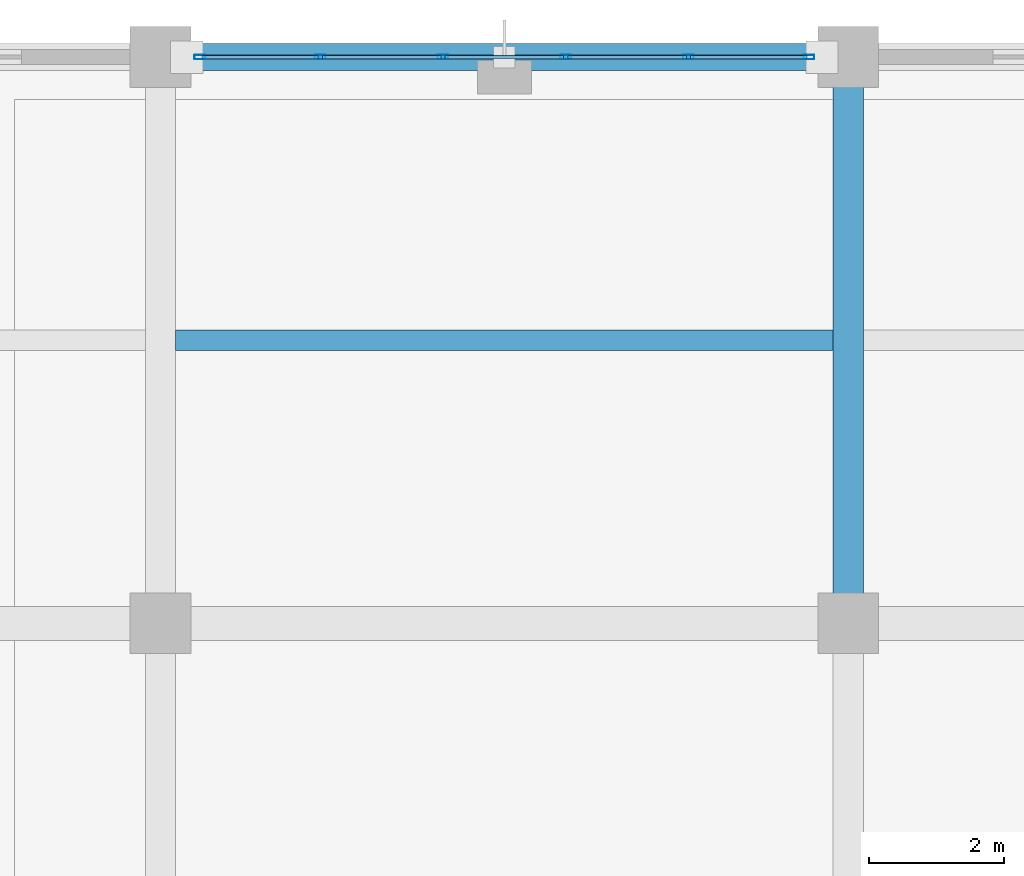
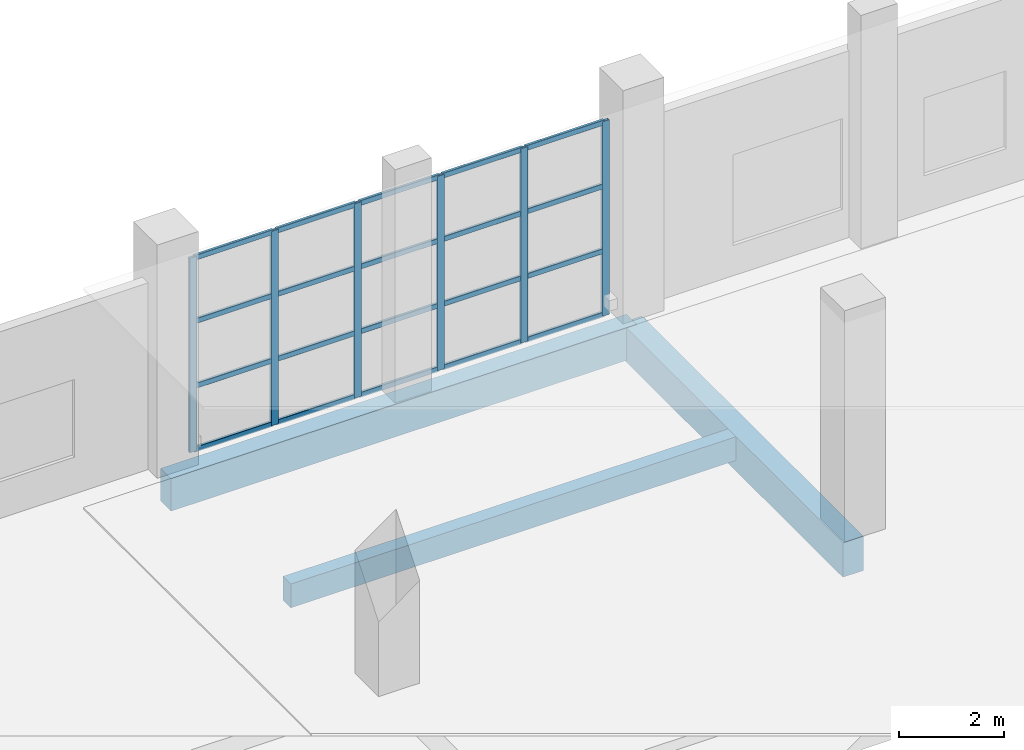
# One storey, part 91 of 175: 26 members, 3 beams, 1 element without a shape of its own.
"""IFC4 building model written with IfcOpenShell, lengths in metres."""

from ifc_helpers import new_model, si_unit, direction, frame, origin, origin_2d, place, context, subcontext, project, spatial, rectangle, hollow_rectangle, extrude, material, material_profile, profile_set, type_object, element, aggregate, save


model = new_model("IFC4")

# Units and contexts
model_context = context("Model", 3, precision=1e-05, world=origin(), true_north=direction((0.0, 1.0)))
body_context = subcontext(model_context, "Body", "Model", "MODEL_VIEW")
ifc_project = project(units=[si_unit("LENGTHUNIT", "METRE"), si_unit("AREAUNIT", "SQUARE_METRE"), si_unit("VOLUMEUNIT", "CUBIC_METRE"), si_unit("PLANEANGLEUNIT", "RADIAN"), si_unit("MASSUNIT", "GRAM", prefix="KILO")], contexts=[model_context])

# Site, building, storey
site_placement = place(None, origin())
site = spatial("IfcSite", under=ifc_project, at=site_placement, CompositionType="ELEMENT")
building_placement = place(site_placement, origin())
building = spatial("IfcBuilding", under=site, at=building_placement, Name="Brelvane Convention Centre", CompositionType="ELEMENT")
storey_placement = place(building_placement, frame((0.0, 0.0, 5.39990234375)))
storey = spatial("IfcBuildingStorey", under=building, at=storey_placement, Name="L01", CompositionType="ELEMENT", Elevation=5.39990234375)

# Curtain wall, members
ifc_material_1 = material(Name="Anodised Aluminium Alloy 6063-T6", Category="aluminium")
curtain_wall_type = type_object("IfcCurtainWallType", Name="Curtain Wall CW-BOUL", PredefinedType="USERDEFINED", material=ifc_material_1)
curtain_wall_placement = place(storey_placement, origin())
curtain_wall = element("IfcCurtainWall", 1, at=curtain_wall_placement, inside=storey, type_object=curtain_wall_type, Name="Curtain Wall CW-BOUL L01-V4N-06", ObjectType="UNITISED", PredefinedType="USERDEFINED")
ifc_material_2 = material(Name="Anodised Aluminium Alloy 6063-T6", Category="aluminium")
ifc_material_profile_1 = material_profile(ifc_material_2, hollow_rectangle(XDim=0.06494140625, YDim=0.159912109375, WallThickness=0.00390625, InnerFilletRadius=0.00390625, OuterFilletRadius=0.008056640625, at=origin_2d()), Name="ALU-M 160x65x4.0")
ifc_profile_set_1 = profile_set([ifc_material_profile_1], Name="Anodised Aluminium Alloy 6063-T6")
member_type_1 = type_object("IfcMemberType", Name="Curtain Mullion CW-M3", PredefinedType="MULLION", material=ifc_profile_set_1)
member_1_placement = place(storey_placement, frame((51.58251953125, 144.0, 0.0), z_axis=(0.0, 0.0, 1.0), x_axis=(0.0, 1.0, 0.0)))
member_1 = element("IfcMember", 2, at=member_1_placement, type_object=member_type_1, Name="CW-BOUL mullion 1", PredefinedType="MULLION", context=body_context, shape_type="SweptSolid", body=[
    extrude(hollow_rectangle(XDim=0.06494140625, YDim=0.159912109375, WallThickness=0.00390625, InnerFilletRadius=0.00390625, OuterFilletRadius=0.008056640625, at=origin_2d()), origin(), (0.0, 0.0, 1.0), 4.5),
])
member_2_placement = place(storey_placement, frame((53.3701171875, 144.0, 0.0), z_axis=(0.0, 0.0, 1.0), x_axis=(0.0, 1.0, 0.0)))
member_2 = element("IfcMember", 3, at=member_2_placement, type_object=member_type_1, Name="CW-BOUL mullion 2", PredefinedType="MULLION", context=body_context, shape_type="SweptSolid", body=[
    extrude(hollow_rectangle(XDim=0.06494140625, YDim=0.159912109375, WallThickness=0.00390625, InnerFilletRadius=0.00390625, OuterFilletRadius=0.008056640625, at=origin_2d()), origin(), (0.0, 0.0, 1.0), 4.5),
])
member_3_placement = place(storey_placement, frame((55.18994140625, 144.0, 0.0), z_axis=(0.0, 0.0, 1.0), x_axis=(0.0, 1.0, 0.0)))
member_3 = element("IfcMember", 4, at=member_3_placement, type_object=member_type_1, Name="CW-BOUL mullion 3", PredefinedType="MULLION", context=body_context, shape_type="SweptSolid", body=[
    extrude(hollow_rectangle(XDim=0.06494140625, YDim=0.159912109375, WallThickness=0.00390625, InnerFilletRadius=0.00390625, OuterFilletRadius=0.008056640625, at=origin_2d()), origin(), (0.0, 0.0, 1.0), 4.5),
])
member_4_placement = place(storey_placement, frame((57.010009765625, 144.0, 0.0), z_axis=(0.0, 0.0, 1.0), x_axis=(0.0, 1.0, 0.0)))
member_4 = element("IfcMember", 5, at=member_4_placement, type_object=member_type_1, Name="CW-BOUL mullion 4", PredefinedType="MULLION", context=body_context, shape_type="SweptSolid", body=[
    extrude(hollow_rectangle(XDim=0.06494140625, YDim=0.159912109375, WallThickness=0.00390625, InnerFilletRadius=0.00390625, OuterFilletRadius=0.008056640625, at=origin_2d()), origin(), (0.0, 0.0, 1.0), 4.5),
])
member_5_placement = place(storey_placement, frame((58.830078125, 144.0, 0.0), z_axis=(0.0, 0.0, 1.0), x_axis=(0.0, 1.0, 0.0)))
member_5 = element("IfcMember", 6, at=member_5_placement, type_object=member_type_1, Name="CW-BOUL mullion 5", PredefinedType="MULLION", context=body_context, shape_type="SweptSolid", body=[
    extrude(hollow_rectangle(XDim=0.06494140625, YDim=0.159912109375, WallThickness=0.00390625, InnerFilletRadius=0.00390625, OuterFilletRadius=0.008056640625, at=origin_2d()), origin(), (0.0, 0.0, 1.0), 4.5),
])
member_6_placement = place(storey_placement, frame((60.617431640625, 144.0, 0.0), z_axis=(0.0, 0.0, 1.0), x_axis=(0.0, 1.0, 0.0)))
member_6 = element("IfcMember", 7, at=member_6_placement, type_object=member_type_1, Name="CW-BOUL mullion 6", PredefinedType="MULLION", context=body_context, shape_type="SweptSolid", body=[
    extrude(hollow_rectangle(XDim=0.06494140625, YDim=0.159912109375, WallThickness=0.00390625, InnerFilletRadius=0.00390625, OuterFilletRadius=0.008056640625, at=origin_2d()), origin(), (0.0, 0.0, 1.0), 4.5),
])
ifc_material_3 = material(Name="Anodised Aluminium Alloy 6063-T6", Category="aluminium")
ifc_material_profile_2 = material_profile(ifc_material_3, hollow_rectangle(XDim=0.06005859375, YDim=0.1201171875, WallThickness=0.00390625, InnerFilletRadius=0.00390625, OuterFilletRadius=0.008056640625, at=origin_2d()), Name="ALU-T 120x60x4.0")
ifc_profile_set_2 = profile_set([ifc_material_profile_2], Name="Anodised Aluminium Alloy 6063-T6")
member_type_2 = type_object("IfcMemberType", Name="Curtain Transom CW-T3", PredefinedType="USERDEFINED", material=ifc_profile_set_2)
member_7_placement = place(storey_placement, frame((51.614990234375, 144.0, 0.030029296875), z_axis=(1.0, 0.0, 0.0), x_axis=(0.0, 1.0, 0.0)))
member_7 = element("IfcMember", 8, at=member_7_placement, type_object=member_type_2, Name="CW-BOUL transom 1.1", ObjectType="TRANSOM", PredefinedType="USERDEFINED", context=body_context, shape_type="SweptSolid", body=[
    extrude(hollow_rectangle(XDim=0.06005859375, YDim=0.1201171875, WallThickness=0.00390625, InnerFilletRadius=0.00390625, OuterFilletRadius=0.008056640625, at=origin_2d()), origin(), (0.0, 0.0, 1.0), 1.722412109375),
])
member_8_placement = place(storey_placement, frame((51.614990234375, 144.0, 1.5), z_axis=(1.0, 0.0, 0.0), x_axis=(0.0, 1.0, 0.0)))
member_8 = element("IfcMember", 9, at=member_8_placement, type_object=member_type_2, Name="CW-BOUL transom 1.2", ObjectType="TRANSOM", PredefinedType="USERDEFINED", context=body_context, shape_type="SweptSolid", body=[
    extrude(hollow_rectangle(XDim=0.06005859375, YDim=0.1201171875, WallThickness=0.00390625, InnerFilletRadius=0.00390625, OuterFilletRadius=0.008056640625, at=origin_2d()), origin(), (0.0, 0.0, 1.0), 1.722412109375),
])
member_9_placement = place(storey_placement, frame((51.614990234375, 144.0, 3.0), z_axis=(1.0, 0.0, 0.0), x_axis=(0.0, 1.0, 0.0)))
member_9 = element("IfcMember", 10, at=member_9_placement, type_object=member_type_2, Name="CW-BOUL transom 1.3", ObjectType="TRANSOM", PredefinedType="USERDEFINED", context=body_context, shape_type="SweptSolid", body=[
    extrude(hollow_rectangle(XDim=0.06005859375, YDim=0.1201171875, WallThickness=0.00390625, InnerFilletRadius=0.00390625, OuterFilletRadius=0.008056640625, at=origin_2d()), origin(), (0.0, 0.0, 1.0), 1.722412109375),
])
member_10_placement = place(storey_placement, frame((51.614990234375, 144.0, 4.47021484375), z_axis=(1.0, 0.0, 0.0), x_axis=(0.0, 1.0, 0.0)))
member_10 = element("IfcMember", 11, at=member_10_placement, type_object=member_type_2, Name="CW-BOUL transom 1.4", ObjectType="TRANSOM", PredefinedType="USERDEFINED", context=body_context, shape_type="SweptSolid", body=[
    extrude(hollow_rectangle(XDim=0.06005859375, YDim=0.1201171875, WallThickness=0.00390625, InnerFilletRadius=0.00390625, OuterFilletRadius=0.008056640625, at=origin_2d()), origin(), (0.0, 0.0, 1.0), 1.722412109375),
])
member_11_placement = place(storey_placement, frame((53.402587890625, 144.0, 0.030029296875), z_axis=(1.0, 0.0, 0.0), x_axis=(0.0, 1.0, 0.0)))
member_11 = element("IfcMember", 12, at=member_11_placement, type_object=member_type_2, Name="CW-BOUL transom 2.1", ObjectType="TRANSOM", PredefinedType="USERDEFINED", context=body_context, shape_type="SweptSolid", body=[
    extrude(hollow_rectangle(XDim=0.06005859375, YDim=0.1201171875, WallThickness=0.00390625, InnerFilletRadius=0.00390625, OuterFilletRadius=0.008056640625, at=origin_2d()), origin(), (0.0, 0.0, 1.0), 1.7548828125),
])
member_12_placement = place(storey_placement, frame((53.402587890625, 144.0, 1.5), z_axis=(1.0, 0.0, 0.0), x_axis=(0.0, 1.0, 0.0)))
member_12 = element("IfcMember", 13, at=member_12_placement, type_object=member_type_2, Name="CW-BOUL transom 2.2", ObjectType="TRANSOM", PredefinedType="USERDEFINED", context=body_context, shape_type="SweptSolid", body=[
    extrude(hollow_rectangle(XDim=0.06005859375, YDim=0.1201171875, WallThickness=0.00390625, InnerFilletRadius=0.00390625, OuterFilletRadius=0.008056640625, at=origin_2d()), origin(), (0.0, 0.0, 1.0), 1.7548828125),
])
member_13_placement = place(storey_placement, frame((53.402587890625, 144.0, 3.0), z_axis=(1.0, 0.0, 0.0), x_axis=(0.0, 1.0, 0.0)))
member_13 = element("IfcMember", 14, at=member_13_placement, type_object=member_type_2, Name="CW-BOUL transom 2.3", ObjectType="TRANSOM", PredefinedType="USERDEFINED", context=body_context, shape_type="SweptSolid", body=[
    extrude(hollow_rectangle(XDim=0.06005859375, YDim=0.1201171875, WallThickness=0.00390625, InnerFilletRadius=0.00390625, OuterFilletRadius=0.008056640625, at=origin_2d()), origin(), (0.0, 0.0, 1.0), 1.7548828125),
])
member_14_placement = place(storey_placement, frame((53.402587890625, 144.0, 4.47021484375), z_axis=(1.0, 0.0, 0.0), x_axis=(0.0, 1.0, 0.0)))
member_14 = element("IfcMember", 15, at=member_14_placement, type_object=member_type_2, Name="CW-BOUL transom 2.4", ObjectType="TRANSOM", PredefinedType="USERDEFINED", context=body_context, shape_type="SweptSolid", body=[
    extrude(hollow_rectangle(XDim=0.06005859375, YDim=0.1201171875, WallThickness=0.00390625, InnerFilletRadius=0.00390625, OuterFilletRadius=0.008056640625, at=origin_2d()), origin(), (0.0, 0.0, 1.0), 1.7548828125),
])
member_15_placement = place(storey_placement, frame((55.222412109375, 144.0, 0.030029296875), z_axis=(1.0, 0.0, 0.0), x_axis=(0.0, 1.0, 0.0)))
member_15 = element("IfcMember", 16, at=member_15_placement, type_object=member_type_2, Name="CW-BOUL transom 3.1", ObjectType="TRANSOM", PredefinedType="USERDEFINED", context=body_context, shape_type="SweptSolid", body=[
    extrude(hollow_rectangle(XDim=0.06005859375, YDim=0.1201171875, WallThickness=0.00390625, InnerFilletRadius=0.00390625, OuterFilletRadius=0.008056640625, at=origin_2d()), origin(), (0.0, 0.0, 1.0), 1.755126953125),
])
member_16_placement = place(storey_placement, frame((55.222412109375, 144.0, 1.5), z_axis=(1.0, 0.0, 0.0), x_axis=(0.0, 1.0, 0.0)))
member_16 = element("IfcMember", 17, at=member_16_placement, type_object=member_type_2, Name="CW-BOUL transom 3.2", ObjectType="TRANSOM", PredefinedType="USERDEFINED", context=body_context, shape_type="SweptSolid", body=[
    extrude(hollow_rectangle(XDim=0.06005859375, YDim=0.1201171875, WallThickness=0.00390625, InnerFilletRadius=0.00390625, OuterFilletRadius=0.008056640625, at=origin_2d()), origin(), (0.0, 0.0, 1.0), 1.755126953125),
])
member_17_placement = place(storey_placement, frame((55.222412109375, 144.0, 3.0), z_axis=(1.0, 0.0, 0.0), x_axis=(0.0, 1.0, 0.0)))
member_17 = element("IfcMember", 18, at=member_17_placement, type_object=member_type_2, Name="CW-BOUL transom 3.3", ObjectType="TRANSOM", PredefinedType="USERDEFINED", context=body_context, shape_type="SweptSolid", body=[
    extrude(hollow_rectangle(XDim=0.06005859375, YDim=0.1201171875, WallThickness=0.00390625, InnerFilletRadius=0.00390625, OuterFilletRadius=0.008056640625, at=origin_2d()), origin(), (0.0, 0.0, 1.0), 1.755126953125),
])
member_18_placement = place(storey_placement, frame((55.222412109375, 144.0, 4.47021484375), z_axis=(1.0, 0.0, 0.0), x_axis=(0.0, 1.0, 0.0)))
member_18 = element("IfcMember", 19, at=member_18_placement, type_object=member_type_2, Name="CW-BOUL transom 3.4", ObjectType="TRANSOM", PredefinedType="USERDEFINED", context=body_context, shape_type="SweptSolid", body=[
    extrude(hollow_rectangle(XDim=0.06005859375, YDim=0.1201171875, WallThickness=0.00390625, InnerFilletRadius=0.00390625, OuterFilletRadius=0.008056640625, at=origin_2d()), origin(), (0.0, 0.0, 1.0), 1.755126953125),
])
member_19_placement = place(storey_placement, frame((57.04248046875, 144.0, 0.030029296875), z_axis=(1.0, 0.0, 0.0), x_axis=(0.0, 1.0, 0.0)))
member_19 = element("IfcMember", 20, at=member_19_placement, type_object=member_type_2, Name="CW-BOUL transom 4.1", ObjectType="TRANSOM", PredefinedType="USERDEFINED", context=body_context, shape_type="SweptSolid", body=[
    extrude(hollow_rectangle(XDim=0.06005859375, YDim=0.1201171875, WallThickness=0.00390625, InnerFilletRadius=0.00390625, OuterFilletRadius=0.008056640625, at=origin_2d()), origin(), (0.0, 0.0, 1.0), 1.755126953125),
])
member_20_placement = place(storey_placement, frame((57.04248046875, 144.0, 1.5), z_axis=(1.0, 0.0, 0.0), x_axis=(0.0, 1.0, 0.0)))
member_20 = element("IfcMember", 21, at=member_20_placement, type_object=member_type_2, Name="CW-BOUL transom 4.2", ObjectType="TRANSOM", PredefinedType="USERDEFINED", context=body_context, shape_type="SweptSolid", body=[
    extrude(hollow_rectangle(XDim=0.06005859375, YDim=0.1201171875, WallThickness=0.00390625, InnerFilletRadius=0.00390625, OuterFilletRadius=0.008056640625, at=origin_2d()), origin(), (0.0, 0.0, 1.0), 1.755126953125),
])
member_21_placement = place(storey_placement, frame((57.04248046875, 144.0, 3.0), z_axis=(1.0, 0.0, 0.0), x_axis=(0.0, 1.0, 0.0)))
member_21 = element("IfcMember", 22, at=member_21_placement, type_object=member_type_2, Name="CW-BOUL transom 4.3", ObjectType="TRANSOM", PredefinedType="USERDEFINED", context=body_context, shape_type="SweptSolid", body=[
    extrude(hollow_rectangle(XDim=0.06005859375, YDim=0.1201171875, WallThickness=0.00390625, InnerFilletRadius=0.00390625, OuterFilletRadius=0.008056640625, at=origin_2d()), origin(), (0.0, 0.0, 1.0), 1.755126953125),
])
member_22_placement = place(storey_placement, frame((57.04248046875, 144.0, 4.47021484375), z_axis=(1.0, 0.0, 0.0), x_axis=(0.0, 1.0, 0.0)))
member_22 = element("IfcMember", 23, at=member_22_placement, type_object=member_type_2, Name="CW-BOUL transom 4.4", ObjectType="TRANSOM", PredefinedType="USERDEFINED", context=body_context, shape_type="SweptSolid", body=[
    extrude(hollow_rectangle(XDim=0.06005859375, YDim=0.1201171875, WallThickness=0.00390625, InnerFilletRadius=0.00390625, OuterFilletRadius=0.008056640625, at=origin_2d()), origin(), (0.0, 0.0, 1.0), 1.755126953125),
])
member_23_placement = place(storey_placement, frame((58.862548828125, 144.0, 0.030029296875), z_axis=(1.0, 0.0, 0.0), x_axis=(0.0, 1.0, 0.0)))
member_23 = element("IfcMember", 24, at=member_23_placement, type_object=member_type_2, Name="CW-BOUL transom 5.1", ObjectType="TRANSOM", PredefinedType="USERDEFINED", context=body_context, shape_type="SweptSolid", body=[
    extrude(hollow_rectangle(XDim=0.06005859375, YDim=0.1201171875, WallThickness=0.00390625, InnerFilletRadius=0.00390625, OuterFilletRadius=0.008056640625, at=origin_2d()), origin(), (0.0, 0.0, 1.0), 1.722412109375),
])
member_24_placement = place(storey_placement, frame((58.862548828125, 144.0, 1.5), z_axis=(1.0, 0.0, 0.0), x_axis=(0.0, 1.0, 0.0)))
member_24 = element("IfcMember", 25, at=member_24_placement, type_object=member_type_2, Name="CW-BOUL transom 5.2", ObjectType="TRANSOM", PredefinedType="USERDEFINED", context=body_context, shape_type="SweptSolid", body=[
    extrude(hollow_rectangle(XDim=0.06005859375, YDim=0.1201171875, WallThickness=0.00390625, InnerFilletRadius=0.00390625, OuterFilletRadius=0.008056640625, at=origin_2d()), origin(), (0.0, 0.0, 1.0), 1.722412109375),
])
member_25_placement = place(storey_placement, frame((58.862548828125, 144.0, 3.0), z_axis=(1.0, 0.0, 0.0), x_axis=(0.0, 1.0, 0.0)))
member_25 = element("IfcMember", 26, at=member_25_placement, type_object=member_type_2, Name="CW-BOUL transom 5.3", ObjectType="TRANSOM", PredefinedType="USERDEFINED", context=body_context, shape_type="SweptSolid", body=[
    extrude(hollow_rectangle(XDim=0.06005859375, YDim=0.1201171875, WallThickness=0.00390625, InnerFilletRadius=0.00390625, OuterFilletRadius=0.008056640625, at=origin_2d()), origin(), (0.0, 0.0, 1.0), 1.722412109375),
])
member_26_placement = place(storey_placement, frame((58.862548828125, 144.0, 4.47021484375), z_axis=(1.0, 0.0, 0.0), x_axis=(0.0, 1.0, 0.0)))
member_26 = element("IfcMember", 27, at=member_26_placement, type_object=member_type_2, Name="CW-BOUL transom 5.4", ObjectType="TRANSOM", PredefinedType="USERDEFINED", context=body_context, shape_type="SweptSolid", body=[
    extrude(hollow_rectangle(XDim=0.06005859375, YDim=0.1201171875, WallThickness=0.00390625, InnerFilletRadius=0.00390625, OuterFilletRadius=0.008056640625, at=origin_2d()), origin(), (0.0, 0.0, 1.0), 1.722412109375),
])
aggregate(curtain_wall, [member_1, member_2, member_3, member_4, member_5, member_6, member_7, member_8, member_9, member_10, member_11, member_12, member_13, member_14, member_15, member_16, member_17, member_18, member_19, member_20, member_21, member_22, member_23, member_24, member_25, member_26])

# Beams
ifc_material_4 = material(Name="Concrete M40", Category="concrete")
ifc_material_profile_3 = material_profile(ifc_material_4, rectangle(XDim=0.449951171875, YDim=0.800048828125, at=origin_2d()), Name="RC 450x800")
ifc_profile_set_3 = profile_set([ifc_material_profile_3], Name="Concrete M40")
beam_type_1 = type_object("IfcBeamType", Name="RC Beam B-RC5 (RC 450x800)", PredefinedType="BEAM", material=ifc_profile_set_3)
beam_1_placement = place(storey_placement, frame((61.199951171875, 135.60009765625, -0.719970703125), z_axis=(0.0, 1.0, 0.0), x_axis=(-1.0, 0.0, 0.0)))
element("IfcBeam", 28, at=beam_1_placement, inside=storey, type_object=beam_type_1, Name="L01 Girder 7/P-Q", PredefinedType="BEAM", context=body_context, shape_type="SweptSolid", body=[
    extrude(rectangle(XDim=0.449951171875, YDim=0.800048828125, at=origin_2d()), origin(), (0.0, 0.0, 1.0), 8.39990234375),
])
ifc_material_5 = material(Name="Concrete M40", Category="concrete")
ifc_material_profile_4 = material_profile(ifc_material_5, rectangle(XDim=0.300048828125, YDim=0.550048828125, at=origin_2d()), Name="RC 300x550")
ifc_profile_set_4 = profile_set([ifc_material_profile_4], Name="Concrete M40")
beam_type_2 = type_object("IfcBeamType", Name="RC Joist J-RC1 (RC 300x550)", PredefinedType="JOIST", material=ifc_profile_set_4)
beam_2_placement = place(storey_placement, frame((51.22509765625, 139.800048828125, -0.594970703125), z_axis=(1.0, 0.0, 0.0), x_axis=(0.0, 1.0, 0.0)))
element("IfcBeam", 29, at=beam_2_placement, inside=storey, type_object=beam_type_2, Name="L01 Secondary Joist 6-7/PQ", PredefinedType="JOIST", context=body_context, shape_type="SweptSolid", body=[
    extrude(rectangle(XDim=0.300048828125, YDim=0.550048828125, at=origin_2d()), origin(), (0.0, 0.0, 1.0), 9.75),
])
ifc_material_6 = material(Name="Concrete M40", Category="concrete")
ifc_material_profile_5 = material_profile(ifc_material_6, rectangle(XDim=0.39990234375, YDim=0.75, at=origin_2d()), Name="RC 400x750")
ifc_profile_set_5 = profile_set([ifc_material_profile_5], Name="Concrete M40")
beam_type_3 = type_object("IfcBeamType", Name="RC Spandrel SP-RC1 (RC 400x750)", PredefinedType="SPANDREL", material=ifc_profile_set_5)
beam_3_placement = place(storey_placement, frame((51.0, 144.0, -0.69482421875), z_axis=(1.0, 0.0, 0.0), x_axis=(0.0, 1.0, 0.0)))
element("IfcBeam", 30, at=beam_3_placement, inside=storey, type_object=beam_type_3, Name="L01 Beam 6-7/Q", PredefinedType="SPANDREL", context=body_context, shape_type="SweptSolid", body=[
    extrude(rectangle(XDim=0.39990234375, YDim=0.75, at=origin_2d()), origin(), (0.0, 0.0, 1.0), 10.199951171875),
])

save(model, "model.ifc")
